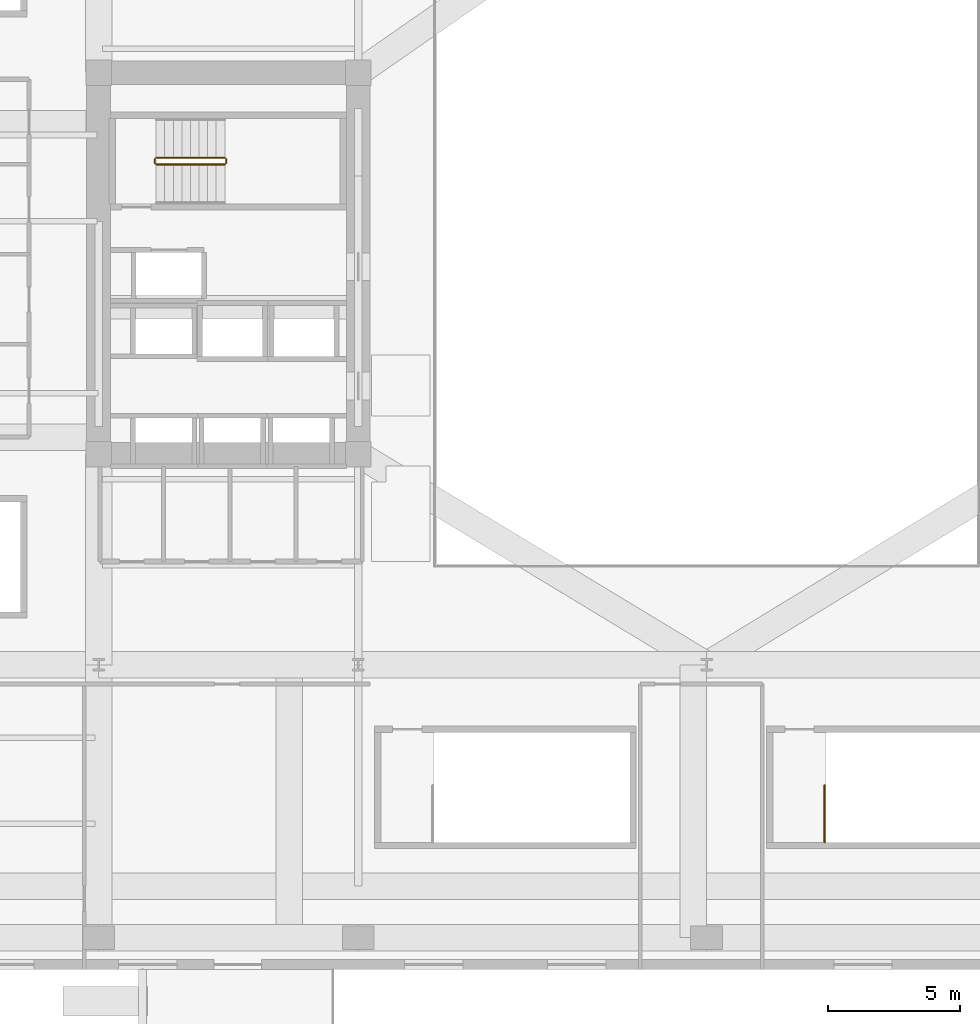
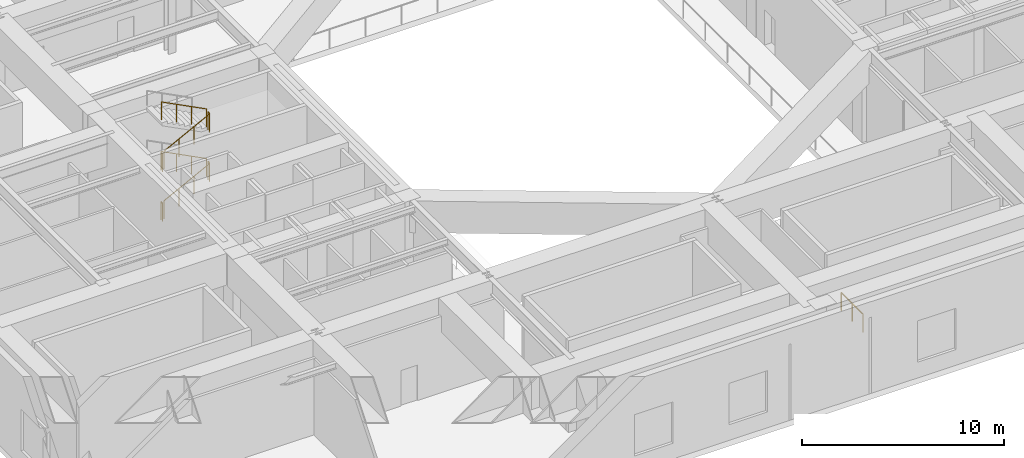
# One storey, part 14 of 16: 9 railings.
"""IFC4 building model written with IfcOpenShell, lengths in metres."""

import ifcopenshell
import ifcopenshell.guid

model = None  # the IFC model being written
_history = None  # IfcOwnerHistory: only IFC2X3 demands one
_inside = {}  # id of a spatial element -> (the spatial element, [elements in it])
_under = {}  # id of a project, library or spatial element -> (it, [spatial elements below it])
_declared = {}  # id of a project -> (the project, [libraries it declares])
_typed = {}  # id of a type object -> (the type object, [elements of that type])
_made_of = {}  # id of a material, layer set ... -> (it, [elements and type objects made of it])


def new_model(schema):
    """Start an empty IFC model of exactly this schema.

    Asked for "IFC4X3", IfcOpenShell would pick the latest addendum, in which some entities
    have other attributes; the version numbers below select the first issue.
    IFC2X3 requires an IfcOwnerHistory on every rooted entity: one is made here for all.
    """
    global model, _history
    if schema == "IFC4X3":
        model = ifcopenshell.file(schema_version=(4, 3, 0, 0))
    else:
        model = ifcopenshell.file(schema=schema)
    _inside.clear()
    _under.clear()
    _declared.clear()
    _typed.clear()
    _made_of.clear()
    _history = None
    if model.schema == "IFC2X3":
        org = make("IfcOrganization", Name="unknown")
        user = make(
            "IfcPersonAndOrganization",
            ThePerson=make("IfcPerson", FamilyName="unknown"),
            TheOrganization=org,
        )
        app = make(
            "IfcApplication",
            ApplicationDeveloper=org,
            Version="unknown",
            ApplicationFullName="unknown",
            ApplicationIdentifier="unknown",
        )
        _history = make(
            "IfcOwnerHistory",
            OwningUser=user,
            OwningApplication=app,
            ChangeAction="ADDED",
            CreationDate=0,
        )
    return model


def make(cls, **values):
    """One entity of the class cls with the attributes given. An attribute that is None is left unset."""
    return model.create_entity(
        cls, **{name: value for name, value in values.items() if value is not None}
    )


def rooted(cls, **values):
    """An entity with a GlobalId (a new one), such as an element, a storey or a relation."""
    return make(cls, GlobalId=ifcopenshell.guid.new(), OwnerHistory=_history, **values)


def si_unit(unit_type, name, prefix=None):
    """IfcSIUnit, for example si_unit("LENGTHUNIT", "METRE", prefix="MILLI")."""
    return make("IfcSIUnit", UnitType=unit_type, Prefix=prefix, Name=name)


def assignment(units):
    """IfcUnitAssignment: the units of a project."""
    return None if units is None else make("IfcUnitAssignment", Units=units)


def point(xyz):
    """IfcCartesianPoint."""
    return None if xyz is None else make("IfcCartesianPoint", Coordinates=xyz)


def direction(xyz):
    """IfcDirection."""
    return None if xyz is None else make("IfcDirection", DirectionRatios=xyz)


def frame(location, z_axis=None, x_axis=None):
    """IfcAxis2Placement3D, a coordinate frame: its origin and axes. An axis left out is left unset."""
    return make(
        "IfcAxis2Placement3D",
        Location=point(location),
        Axis=direction(z_axis),
        RefDirection=direction(x_axis),
    )


def frame_2d(location, x_axis=None):
    """IfcAxis2Placement2D, a coordinate frame in the plane: its origin and x axis."""
    return make(
        "IfcAxis2Placement2D", Location=point(location), RefDirection=direction(x_axis)
    )


def origin():
    """The frame at (0, 0, 0) with its axes left unset."""
    return frame((0.0, 0.0, 0.0))


def origin_2d():
    """The frame at (0, 0) in the plane with its x axis left unset."""
    return frame_2d((0.0, 0.0))


def place(relative_to, where):
    """IfcLocalPlacement: puts the frame where relative to a parent placement (None: the world)."""
    return make(
        "IfcLocalPlacement", PlacementRelTo=relative_to, RelativePlacement=where
    )


def context(
    kind, dimensions, precision=None, world=None, true_north=None, identifier=None
):
    """IfcGeometricRepresentationContext, for example the 3D "Model" context."""
    return make(
        "IfcGeometricRepresentationContext",
        ContextIdentifier=identifier,
        ContextType=kind,
        CoordinateSpaceDimension=dimensions,
        Precision=precision,
        WorldCoordinateSystem=world,
        TrueNorth=true_north,
    )


def subcontext(parent, identifier, kind, view, scale=None):
    """IfcGeometricRepresentationSubContext, for example "Body" below "Model"."""
    return make(
        "IfcGeometricRepresentationSubContext",
        ContextIdentifier=identifier,
        ContextType=kind,
        ParentContext=parent,
        TargetScale=scale,
        TargetView=view,
    )


def project(units=None, contexts=None):
    """IfcProject with its units and contexts."""
    return rooted(
        "IfcProject",
        Name="project",
        RepresentationContexts=contexts,
        UnitsInContext=assignment(units),
    )


def spatial(cls, under=None, at=None, **own):
    """A site, building, storey or space (cls), placed at a placement, below another one or the project."""
    s = rooted(cls, ObjectPlacement=at, **own)
    if under is not None:
        _under.setdefault(under.id(), (under, []))[1].append(s)
    return s


def profile(cls, at=None, kind="AREA", **sizes):
    """A parametric profile (cls). Its sizes go by their IFC names, for example OverallWidth=200.0."""
    return make(cls, ProfileType=kind, Position=at, **sizes)


def circle(**sizes):
    """IfcCircleProfileDef."""
    return profile("IfcCircleProfileDef", **sizes)


def extrude(swept, where, along, depth):
    """IfcExtrudedAreaSolid: the profile swept, set in the frame where, extruded along a direction by depth."""
    return make(
        "IfcExtrudedAreaSolid",
        SweptArea=swept,
        Position=where,
        ExtrudedDirection=direction(along),
        Depth=depth,
    )


def shape(context_of_items, identifier, shape_type, items):
    """IfcShapeRepresentation: the items that make up one representation, for example the "Body"."""
    return make(
        "IfcShapeRepresentation",
        ContextOfItems=context_of_items,
        RepresentationIdentifier=identifier,
        RepresentationType=shape_type,
        Items=items,
    )


def material(Name=None, Category=None):
    """IfcMaterial."""
    return make("IfcMaterial", Name=Name, Category=Category)


def made_of(thing, what):
    """Note that an element or type object is made of a material, layer set ...; save() writes the relation."""
    if what is not None:
        _made_of.setdefault(what.id(), (what, []))[1].append(thing)
    return thing


def type_object(cls, material=None, **own):
    """A type object (cls), such as IfcWallType, which elements share."""
    return made_of(rooted(cls, **own), material)


def element(
    cls,
    number,
    at=None,
    inside=None,
    cuts=None,
    type_object=None,
    material=None,
    context=None,
    identifier="Body",
    shape_type=None,
    held_by="IfcProductDefinitionShape",
    body=None,
    shapes=None,
    **own,
):
    """One element of the class cls, such as IfcWall. Its Tag is "e" and its number.

    at: its placement. inside: the storey or other place that contains it. cuts: it is an
    opening in that element (IfcRelVoidsElement). A single representation is given by context,
    identifier, shape_type and body (its items); several are given by shapes. held_by: the class
    of the entity that holds the representations. save() writes the other relations.
    """
    e = rooted(cls, Tag="e%d" % number, ObjectPlacement=at, **own)
    if body is not None:
        shapes = [shape(context, identifier, shape_type, body)]
    if shapes is not None:
        e.Representation = make(held_by, Representations=shapes)
    if inside is not None:
        _inside.setdefault(inside.id(), (inside, []))[1].append(e)
    if cuts is not None:
        rooted(
            "IfcRelVoidsElement", RelatingBuildingElement=cuts, RelatedOpeningElement=e
        )
    if type_object is not None:
        _typed.setdefault(type_object.id(), (type_object, []))[1].append(e)
    return made_of(e, material)


def aggregate(whole, parts):
    """IfcRelAggregates: a whole, such as a stair, and the parts it consists of."""
    return rooted("IfcRelAggregates", RelatingObject=whole, RelatedObjects=parts)


def save(model, path):
    """Write the relations noted so far, then the file.

    IfcRelAggregates (storeys below a building ...), IfcRelContainedInSpatialStructure (elements
    in a storey), IfcRelDefinesByType, IfcRelAssociatesMaterial and IfcRelDeclares: one each for
    every whole, place, type object, material and project.
    """
    for whole, parts in _under.values():
        aggregate(whole, parts)
    for where, things in _inside.values():
        rooted(
            "IfcRelContainedInSpatialStructure",
            RelatedElements=things,
            RelatingStructure=where,
        )
    for kind, things in _typed.values():
        rooted("IfcRelDefinesByType", RelatedObjects=things, RelatingType=kind)
    for what, things in _made_of.values():
        rooted("IfcRelAssociatesMaterial", RelatedObjects=things, RelatingMaterial=what)
    for by, libraries in _declared.values():
        rooted("IfcRelDeclares", RelatingContext=by, RelatedDefinitions=libraries)
    model.write(path)


model = new_model("IFC4")

# Units and contexts
model_context = context("Model", 3, precision=1e-05, world=origin(), true_north=direction((0.0, 1.0)))
body_context = subcontext(model_context, "Body", "Model", "MODEL_VIEW")
ifc_project = project(units=[si_unit("LENGTHUNIT", "METRE"), si_unit("AREAUNIT", "SQUARE_METRE"), si_unit("VOLUMEUNIT", "CUBIC_METRE"), si_unit("PLANEANGLEUNIT", "RADIAN"), si_unit("MASSUNIT", "GRAM", prefix="KILO")], contexts=[model_context])

# Site, building, storey
site_placement = place(None, origin())
site = spatial("IfcSite", under=ifc_project, at=site_placement, CompositionType="ELEMENT")
building_placement = place(site_placement, origin())
building = spatial("IfcBuilding", under=site, at=building_placement, Name="Kolvaren Arena Tower", CompositionType="ELEMENT")
storey_placement = place(building_placement, frame((0.0, 0.0, 28.0)))
storey = spatial("IfcBuildingStorey", under=building, at=storey_placement, Name="L05", CompositionType="ELEMENT", Elevation=28.0)

# Railings
ifc_material = material(Name="Painted galvanized steel", Category="steel")
railing_type = type_object("IfcRailingType", Name="GUARD-ST-110", PredefinedType="GUARDRAIL", material=ifc_material)
railing_1_placement = place(storey_placement, frame((16.719970703125, 30.389892578125, 0.166748046875)))
element("IfcRailing", 1, at=railing_1_placement, inside=storey, type_object=railing_type, Name="L05 ST-W1 stair guard 1", PredefinedType="GUARDRAIL", context=body_context, shape_type="SweptSolid", body=[
    extrude(circle(Radius=0.02392578125, at=origin_2d()), frame((0.0, 0.0, 1.076171875), z_axis=(0.889259574853, 0.0, 0.457402895194), x_axis=(0.0, 1.0, 0.0)), (0.0, 0.0, 1.0), 2.914794921875),
    extrude(circle(Radius=0.02099609375, at=origin_2d()), origin(), (0.0, 0.0, 1.0), 1.052001953125),
    extrude(circle(Radius=0.02099609375, at=origin_2d()), frame((0.864013671875, 0.0, 0.4443359375)), (0.0, 0.0, 1.0), 1.052001953125),
    extrude(circle(Radius=0.02099609375, at=origin_2d()), frame((1.72802734375, 0.0, 0.888916015625)), (0.0, 0.0, 1.0), 1.052001953125),
    extrude(circle(Radius=0.02099609375, at=origin_2d()), frame((2.592041015625, 0.0, 1.333251953125)), (0.0, 0.0, 1.0), 1.052001953125),
])
railing_2_placement = place(storey_placement, frame((19.362060546875, 30.43994140625, 1.5)))
element("IfcRailing", 2, at=railing_2_placement, inside=storey, type_object=railing_type, Name="L05 ST-W1 stair guard 2", PredefinedType="GUARDRAIL", context=body_context, shape_type="SweptSolid", body=[
    extrude(circle(Radius=0.02392578125, at=origin_2d()), frame((0.0, 0.0, 1.076171875), z_axis=(0.0, 1.0, 0.0), x_axis=(-1.0, 0.0, 0.0)), (0.0, 0.0, 1.0), 0.150146484375),
    extrude(circle(Radius=0.02099609375, at=origin_2d()), origin(), (0.0, 0.0, 1.0), 1.052001953125),
    extrude(circle(Radius=0.02099609375, at=origin_2d()), frame((0.0, 0.150146484375, 0.0)), (0.0, 0.0, 1.0), 1.052001953125),
])
railing_3_placement = place(storey_placement, frame((19.31201171875, 30.639892578125, 1.666748046875)))
element("IfcRailing", 3, at=railing_3_placement, inside=storey, type_object=railing_type, Name="L05 ST-W1 stair guard 3", PredefinedType="GUARDRAIL", context=body_context, shape_type="SweptSolid", body=[
    extrude(circle(Radius=0.02392578125, at=origin_2d()), frame((0.0, 0.0, 1.076171875), z_axis=(-0.889259574853, 0.0, 0.457402895194), x_axis=(0.0, -1.0, 0.0)), (0.0, 0.0, 1.0), 2.914794921875),
    extrude(circle(Radius=0.02099609375, at=origin_2d()), origin(), (0.0, 0.0, 1.0), 1.052001953125),
    extrude(circle(Radius=0.02099609375, at=origin_2d()), frame((-0.864013671875, 0.0, 0.4443359375)), (0.0, 0.0, 1.0), 1.052001953125),
    extrude(circle(Radius=0.02099609375, at=origin_2d()), frame((-1.72802734375, 0.0, 0.888916015625)), (0.0, 0.0, 1.0), 1.052001953125),
    extrude(circle(Radius=0.02099609375, at=origin_2d()), frame((-2.592041015625, 0.0, 1.333251953125)), (0.0, 0.0, 1.0), 1.052001953125),
])
railing_4_placement = place(storey_placement, frame((16.669921875, 30.43994140625, 3.0)))
element("IfcRailing", 4, at=railing_4_placement, inside=storey, type_object=railing_type, Name="L05 ST-W1 stair guard 4", PredefinedType="GUARDRAIL", context=body_context, shape_type="SweptSolid", body=[
    extrude(circle(Radius=0.02392578125, at=origin_2d()), frame((0.0, 0.0, 1.076171875), z_axis=(0.0, 1.0, 0.0), x_axis=(-1.0, 0.0, 0.0)), (0.0, 0.0, 1.0), 0.150146484375),
    extrude(circle(Radius=0.02099609375, at=origin_2d()), origin(), (0.0, 0.0, 1.0), 1.052001953125),
    extrude(circle(Radius=0.02099609375, at=origin_2d()), frame((0.0, 0.150146484375, 0.0)), (0.0, 0.0, 1.0), 1.052001953125),
])
railing_5_placement = place(storey_placement, frame((16.719970703125, 30.389892578125, 3.166748046875)))
element("IfcRailing", 5, at=railing_5_placement, inside=storey, type_object=railing_type, Name="L05 ST-W1 stair guard 5", PredefinedType="GUARDRAIL", context=body_context, shape_type="SweptSolid", body=[
    extrude(circle(Radius=0.02392578125, at=origin_2d()), frame((0.0, 0.0, 1.076171875), z_axis=(0.889259574853, 0.0, 0.457402895194), x_axis=(0.0, 1.0, 0.0)), (0.0, 0.0, 1.0), 2.914794921875),
    extrude(circle(Radius=0.02099609375, at=origin_2d()), origin(), (0.0, 0.0, 1.0), 1.052001953125),
    extrude(circle(Radius=0.02099609375, at=origin_2d()), frame((0.864013671875, 0.0, 0.4443359375)), (0.0, 0.0, 1.0), 1.052001953125),
    extrude(circle(Radius=0.02099609375, at=origin_2d()), frame((1.72802734375, 0.0, 0.888916015625)), (0.0, 0.0, 1.0), 1.052001953125),
    extrude(circle(Radius=0.02099609375, at=origin_2d()), frame((2.592041015625, 0.0, 1.333251953125)), (0.0, 0.0, 1.0), 1.052001953125),
])
railing_6_placement = place(storey_placement, frame((19.362060546875, 30.43994140625, 4.5)))
element("IfcRailing", 6, at=railing_6_placement, inside=storey, type_object=railing_type, Name="L05 ST-W1 stair guard 6", PredefinedType="GUARDRAIL", context=body_context, shape_type="SweptSolid", body=[
    extrude(circle(Radius=0.02392578125, at=origin_2d()), frame((0.0, 0.0, 1.076171875), z_axis=(0.0, 1.0, 0.0), x_axis=(-1.0, 0.0, 0.0)), (0.0, 0.0, 1.0), 0.150146484375),
    extrude(circle(Radius=0.02099609375, at=origin_2d()), origin(), (0.0, 0.0, 1.0), 1.052001953125),
    extrude(circle(Radius=0.02099609375, at=origin_2d()), frame((0.0, 0.150146484375, 0.0)), (0.0, 0.0, 1.0), 1.052001953125),
])
railing_7_placement = place(storey_placement, frame((19.31201171875, 30.639892578125, 4.666748046875)))
element("IfcRailing", 7, at=railing_7_placement, inside=storey, type_object=railing_type, Name="L05 ST-W1 stair guard 7", PredefinedType="GUARDRAIL", context=body_context, shape_type="SweptSolid", body=[
    extrude(circle(Radius=0.02392578125, at=origin_2d()), frame((0.0, 0.0, 1.076171875), z_axis=(-0.889259574853, 0.0, 0.457402895194), x_axis=(0.0, -1.0, 0.0)), (0.0, 0.0, 1.0), 2.914794921875),
    extrude(circle(Radius=0.02099609375, at=origin_2d()), origin(), (0.0, 0.0, 1.0), 1.052001953125),
    extrude(circle(Radius=0.02099609375, at=origin_2d()), frame((-0.864013671875, 0.0, 0.4443359375)), (0.0, 0.0, 1.0), 1.052001953125),
    extrude(circle(Radius=0.02099609375, at=origin_2d()), frame((-1.72802734375, 0.0, 0.888916015625)), (0.0, 0.0, 1.0), 1.052001953125),
    extrude(circle(Radius=0.02099609375, at=origin_2d()), frame((-2.592041015625, 0.0, 1.333251953125)), (0.0, 0.0, 1.0), 1.052001953125),
])
railing_8_placement = place(storey_placement, frame((16.669921875, 30.43994140625, 0.0)))
element("IfcRailing", 8, at=railing_8_placement, inside=storey, type_object=railing_type, Name="L05 ST-W1 stair guard 8", PredefinedType="GUARDRAIL", context=body_context, shape_type="SweptSolid", body=[
    extrude(circle(Radius=0.02392578125, at=origin_2d()), frame((0.0, 0.0, 1.076171875), z_axis=(0.0, 1.0, 0.0), x_axis=(-1.0, 0.0, 0.0)), (0.0, 0.0, 1.0), 0.150146484375),
    extrude(circle(Radius=0.02099609375, at=origin_2d()), origin(), (0.0, 0.0, 1.0), 1.052001953125),
    extrude(circle(Radius=0.02099609375, at=origin_2d()), frame((0.0, 0.150146484375, 0.0)), (0.0, 0.0, 1.0), 1.052001953125),
])
railing_9_placement = place(storey_placement, frame((41.949951171875, 4.800048828125, 0.0)))
element("IfcRailing", 9, at=railing_9_placement, inside=storey, type_object=railing_type, Name="L05 ST-A3 top well guard 1", PredefinedType="GUARDRAIL", context=body_context, shape_type="SweptSolid", body=[
    extrude(circle(Radius=0.02392578125, at=origin_2d()), frame((0.0, 0.0, 1.076171875), z_axis=(0.0, 1.0, 0.0), x_axis=(-1.0, 0.0, 0.0)), (0.0, 0.0, 1.0), 2.14990234375),
    extrude(circle(Radius=0.02099609375, at=origin_2d()), origin(), (0.0, 0.0, 1.0), 1.052001953125),
    extrude(circle(Radius=0.02099609375, at=origin_2d()), frame((0.0, 1.074951171875, 0.0)), (0.0, 0.0, 1.0), 1.052001953125),
    extrude(circle(Radius=0.02099609375, at=origin_2d()), frame((0.0, 2.14990234375, 0.0)), (0.0, 0.0, 1.0), 1.052001953125),
])

save(model, "model.ifc")
